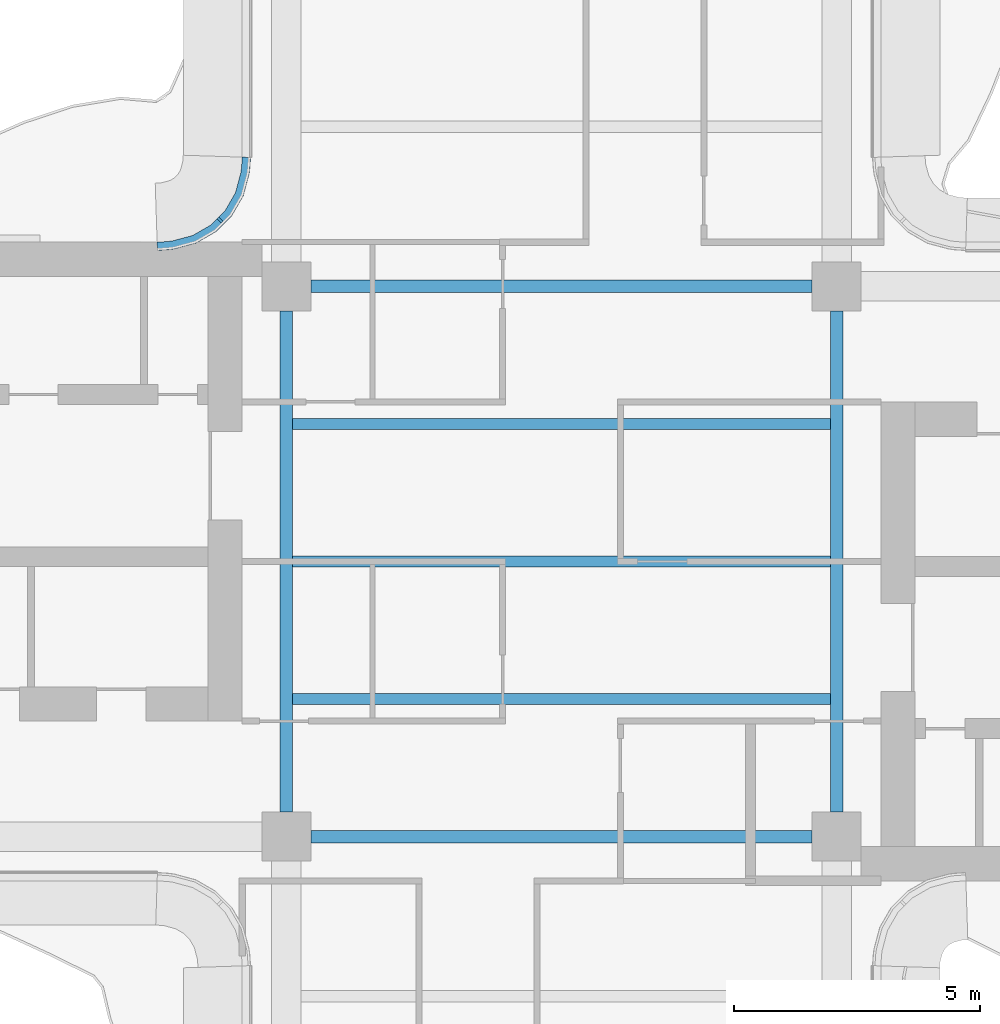
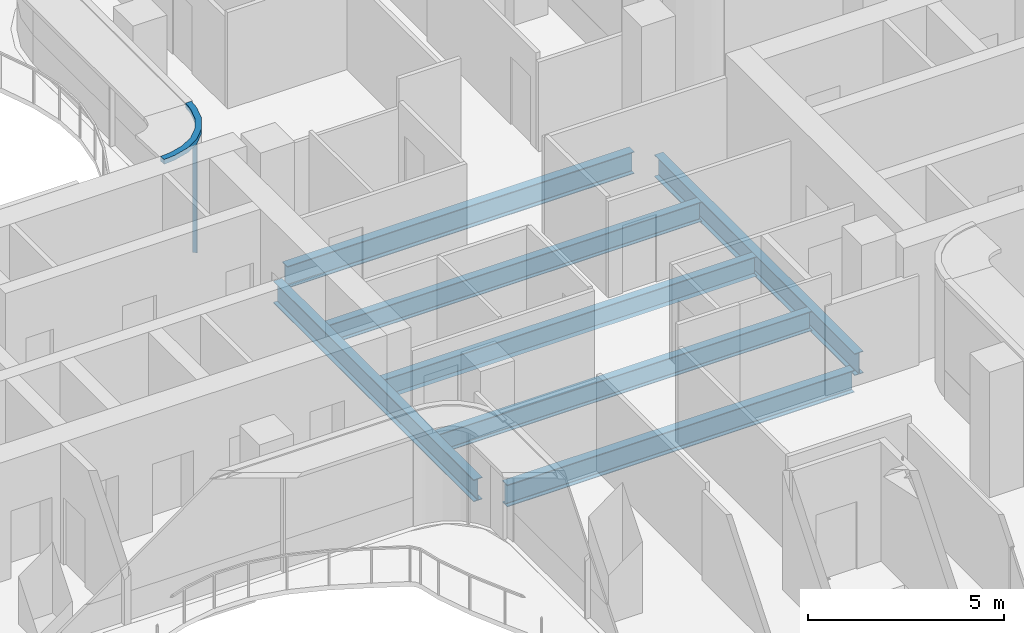
# One storey, part 4 of 16: 7 beams, 2 members, 1 element without a shape of its own.
"""IFC4 building model written with IfcOpenShell, lengths in metres."""

from ifc_helpers import new_model, si_unit, direction, frame, origin, origin_2d, place, context, subcontext, project, spatial, polyline, rectangle, i_section, outline, extrude, source, transform, mapped, material, layer, layer_set, material_profile, profile_set, type_object, element, aggregate, save


model = new_model("IFC4")

# Units and contexts
model_context = context("Model", 3, precision=1e-05, world=origin(), true_north=direction((0.0, 1.0)))
body_context = subcontext(model_context, "Body", "Model", "MODEL_VIEW")
ifc_project = project(units=[si_unit("LENGTHUNIT", "METRE"), si_unit("AREAUNIT", "SQUARE_METRE"), si_unit("VOLUMEUNIT", "CUBIC_METRE"), si_unit("PLANEANGLEUNIT", "RADIAN"), si_unit("MASSUNIT", "GRAM", prefix="KILO")], contexts=[model_context])

# Site, building, storey
site_placement = place(None, origin())
site = spatial("IfcSite", under=ifc_project, at=site_placement, CompositionType="ELEMENT")
building_placement = place(site_placement, origin())
building = spatial("IfcBuilding", under=site, at=building_placement, Name="Trellis Farm Tower", CompositionType="ELEMENT")
storey_placement = place(building_placement, frame((0.0, 0.0, 322.300048828125)))
storey = spatial("IfcBuildingStorey", under=building, at=storey_placement, Name="L73", CompositionType="ELEMENT", Elevation=322.300048828125)

# Beams
ifc_material_1 = material(Name="Steel S355", Category="steel")
ifc_material_profile_1 = material_profile(ifc_material_1, i_section(OverallWidth=0.22900390625, OverallDepth=0.6123046875, WebThickness=0.011962890625, FlangeThickness=0.01953125, FilletRadius=0.0126953125, at=origin_2d()), Name="UB 610x229x125")
ifc_profile_set_1 = profile_set([ifc_material_profile_1], Name="Steel S355")
beam_type_1 = type_object("IfcBeamType", Name="UB 610x229x125 joist", PredefinedType="JOIST", material=ifc_profile_set_1)
shared_shape_1 = source(origin(), body_context, "Body", "SweptSolid", [
    extrude(i_section(OverallWidth=0.22900390625, OverallDepth=0.6123046875, WebThickness=0.011962890625, FlangeThickness=0.01953125, FilletRadius=0.0126953125, at=origin_2d()), origin(), (0.0, 0.0, 1.0), 10.9462890625),
])
for number, where, z_axis, x_axis, name in (
    (1, (-5.47314453125, -2.800048828125, -0.506103515625), (1.0, 0.0, 0.0), (0.0, 1.0, 0.0), "Floor beam"),
    (2, (-5.47314453125, 0.0, -0.506103515625), (1.0, 0.0, 0.0), (0.0, 1.0, 0.0), "Floor beam"),
    (3, (-5.47314453125, 2.800048828125, -0.506103515625), (1.0, 0.0, 0.0), (0.0, 1.0, 0.0), "Floor beam"),
):
    element("IfcBeam", number, at=place(storey_placement, frame(where, z_axis=z_axis, x_axis=x_axis)), inside=storey, type_object=beam_type_1, Name=name, PredefinedType="JOIST", context=body_context, shape_type="MappedRepresentation", body=[
        mapped(shared_shape_1, transform((0.0, 0.0, 0.0))),
    ])
ifc_material_profile_2 = material_profile(ifc_material_1, i_section(OverallWidth=0.253662109375, OverallDepth=0.68359375, WebThickness=0.012451171875, FlangeThickness=0.021728515625, FilletRadius=0.01513671875, at=origin_2d()), Name="UB 686x254x140")
ifc_profile_set_2 = profile_set([ifc_material_profile_2], Name="Steel S355")
beam_type_2 = type_object("IfcBeamType", Name="UB 686x254x140", PredefinedType="BEAM", material=ifc_profile_set_2)
shared_shape_2 = source(origin(), body_context, "Body", "SweptSolid", [
    extrude(i_section(OverallWidth=0.253662109375, OverallDepth=0.68359375, WebThickness=0.012451171875, FlangeThickness=0.021728515625, FilletRadius=0.01513671875, at=origin_2d()), origin(), (0.0, 0.0, 1.0), 10.2001953125),
])
for number, where, z_axis, x_axis, name in (
    (4, (-5.10009765625, -5.60009765625, -0.541748046875), (1.0, 0.0, 0.0), (0.0, 1.0, 0.0), "Girder"),
    (5, (-5.10009765625, 5.60009765625, -0.541748046875), (1.0, 0.0, 0.0), (0.0, 1.0, 0.0), "Girder"),
    (6, (-5.60009765625, -5.10009765625, -0.541748046875), (0.0, 1.0, 0.0), (-1.0, 0.0, 0.0), "Girder"),
    (7, (5.60009765625, -5.10009765625, -0.541748046875), (0.0, 1.0, 0.0), (-1.0, 0.0, 0.0), "Girder"),
):
    element("IfcBeam", number, at=place(storey_placement, frame(where, z_axis=z_axis, x_axis=x_axis)), inside=storey, type_object=beam_type_2, Name=name, PredefinedType="BEAM", context=body_context, shape_type="MappedRepresentation", body=[
        mapped(shared_shape_2, transform((0.0, 0.0, 0.0))),
    ])

# Curtain wall, members
ifc_material_2 = material(Name="Aluminium and glass curtain wall", Category="aluminium")
ifc_layer_1 = layer(ifc_material_2, 0.166015625)
ifc_layer_set_1 = layer_set([ifc_layer_1], Name="WINTER GARDEN CURTAIN WALL CW3")
curtain_wall_type = type_object("IfcCurtainWallType", Name="WINTER GARDEN CURTAIN WALL CW3", PredefinedType="NOTDEFINED", material=ifc_layer_set_1)
curtain_wall_placement = place(storey_placement, origin())
curtain_wall = element("IfcCurtainWall", 8, at=curtain_wall_placement, inside=storey, type_object=curtain_wall_type, Name="CW3 004", PredefinedType="NOTDEFINED")
ifc_material_3 = material(Name="Aluminium extrusion 6063-T6", Category="aluminium")
ifc_layer_2 = layer(ifc_material_3, 0.169921875)
ifc_layer_set_2 = layer_set([ifc_layer_2], Name="Aluminium extrusion 6063-T6")
member_type_1 = type_object("IfcMemberType", Name="CW3 TRANSOM 170x150", PredefinedType="USERDEFINED", material=ifc_layer_set_2)
shared_shape_3 = source(origin(), body_context, "Body", "SweptSolid", [
    extrude(outline(polyline([(-6.5, 8.2314453125), (-6.513916015625, 8.01953125), (-6.527587890625, 7.91552734375), (-6.63671875, 7.508544921875), (-6.846923828125, 7.144287109375), (-7.144287109375, 6.846923828125), (-7.508544921875, 6.63671875), (-7.91552734375, 6.527587890625), (-8.01953125, 6.513916015625), (-8.2314453125, 6.5), (-8.225830078125, 6.330078125), (-8.0029296875, 6.3447265625), (-7.88232421875, 6.360595703125), (-7.44287109375, 6.478271484375), (-7.0400390625, 6.7109375), (-6.7109375, 7.0400390625), (-6.478271484375, 7.44287109375), (-6.360595703125, 7.88232421875), (-6.3447265625, 8.0029296875), (-6.330078125, 8.225830078125), (-6.5, 8.2314453125)])), origin(), (0.0, 0.0, 1.0), 0.14990234375),
])
member_1_placement = place(storey_placement, frame((0.0, 0.0, 3.550048828125)))
member_1 = element("IfcMember", 9, at=member_1_placement, type_object=member_type_1, Name="TR3 004", ObjectType="TRANSOM", PredefinedType="USERDEFINED", context=body_context, shape_type="MappedRepresentation", body=[
    mapped(shared_shape_3, transform((0.0, 0.0, 0.0))),
])
ifc_material_profile_3 = material_profile(ifc_material_3, rectangle(XDim=0.050048828125, YDim=0.1201171875, at=origin_2d()), Name="MULLION 50x120")
ifc_profile_set_3 = profile_set([ifc_material_profile_3], Name="Aluminium extrusion 6063-T6")
member_type_2 = type_object("IfcMemberType", Name="CW3 MULLION 50x120", PredefinedType="MULLION", material=ifc_profile_set_3)
shared_shape_4 = source(origin(), body_context, "Body", "SweptSolid", [
    extrude(rectangle(XDim=0.050048828125, YDim=0.1201171875, at=origin_2d()), origin(), (0.0, 0.0, 1.0), 3.550048828125),
])
member_2_placement = place(storey_placement, frame((-6.953125, 6.953125, 0.0), z_axis=(0.0, 0.0, 1.0), x_axis=(-0.707106781187, -0.707106781187, 0.0)))
member_2 = element("IfcMember", 10, at=member_2_placement, type_object=member_type_2, Name="MU3 004-01", PredefinedType="MULLION", context=body_context, shape_type="MappedRepresentation", body=[
    mapped(shared_shape_4, transform((0.0, 0.0, 0.0))),
])
aggregate(curtain_wall, [member_2, member_1])

save(model, "model.ifc")
